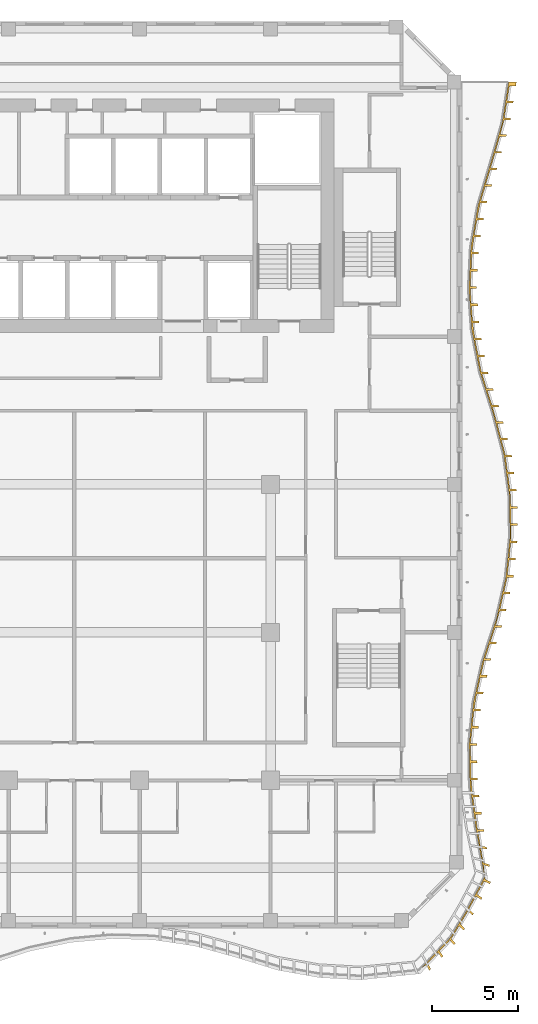
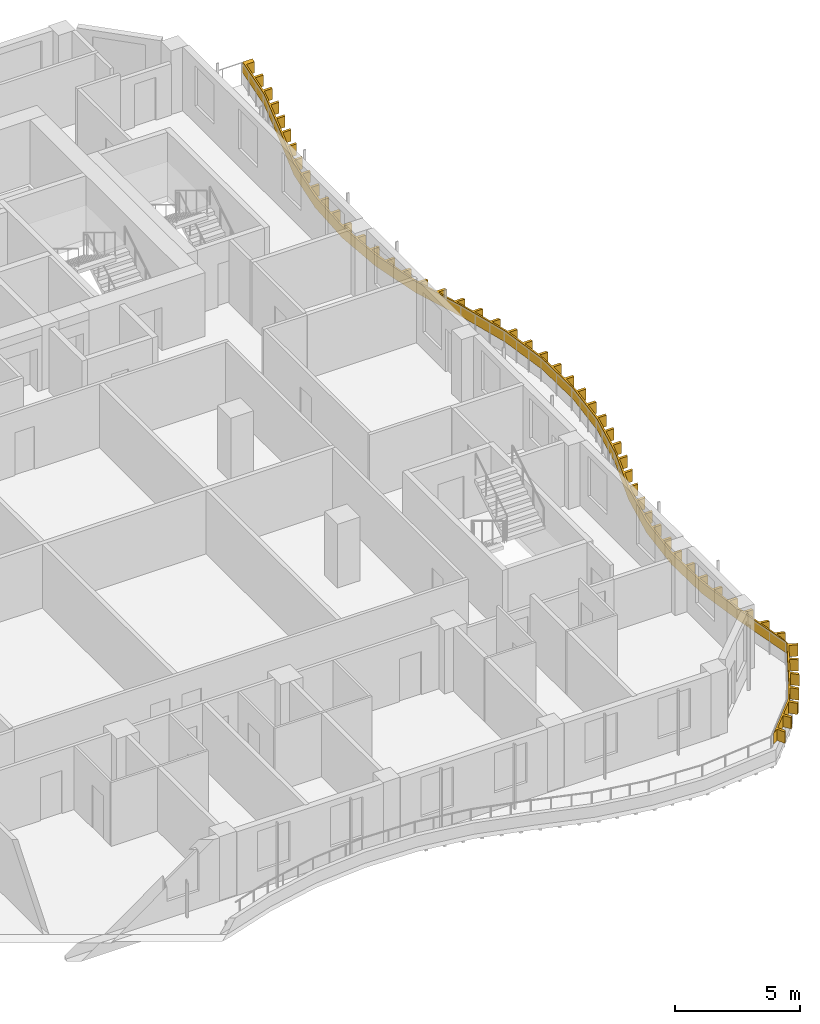
# One storey, part 18 of 21: 1 shading device.
"""IFC4 building model written with IfcOpenShell, lengths in metres."""

import ifcopenshell
import ifcopenshell.guid

model = None  # the IFC model being written
_history = None  # IfcOwnerHistory: only IFC2X3 demands one
_inside = {}  # id of a spatial element -> (the spatial element, [elements in it])
_under = {}  # id of a project, library or spatial element -> (it, [spatial elements below it])
_declared = {}  # id of a project -> (the project, [libraries it declares])
_typed = {}  # id of a type object -> (the type object, [elements of that type])
_made_of = {}  # id of a material, layer set ... -> (it, [elements and type objects made of it])


def new_model(schema):
    """Start an empty IFC model of exactly this schema.

    Asked for "IFC4X3", IfcOpenShell would pick the latest addendum, in which some entities
    have other attributes; the version numbers below select the first issue.
    IFC2X3 requires an IfcOwnerHistory on every rooted entity: one is made here for all.
    """
    global model, _history
    if schema == "IFC4X3":
        model = ifcopenshell.file(schema_version=(4, 3, 0, 0))
    else:
        model = ifcopenshell.file(schema=schema)
    _inside.clear()
    _under.clear()
    _declared.clear()
    _typed.clear()
    _made_of.clear()
    _history = None
    if model.schema == "IFC2X3":
        org = make("IfcOrganization", Name="unknown")
        user = make(
            "IfcPersonAndOrganization",
            ThePerson=make("IfcPerson", FamilyName="unknown"),
            TheOrganization=org,
        )
        app = make(
            "IfcApplication",
            ApplicationDeveloper=org,
            Version="unknown",
            ApplicationFullName="unknown",
            ApplicationIdentifier="unknown",
        )
        _history = make(
            "IfcOwnerHistory",
            OwningUser=user,
            OwningApplication=app,
            ChangeAction="ADDED",
            CreationDate=0,
        )
    return model


def make(cls, **values):
    """One entity of the class cls with the attributes given. An attribute that is None is left unset."""
    return model.create_entity(
        cls, **{name: value for name, value in values.items() if value is not None}
    )


def rooted(cls, **values):
    """An entity with a GlobalId (a new one), such as an element, a storey or a relation."""
    return make(cls, GlobalId=ifcopenshell.guid.new(), OwnerHistory=_history, **values)


def si_unit(unit_type, name, prefix=None):
    """IfcSIUnit, for example si_unit("LENGTHUNIT", "METRE", prefix="MILLI")."""
    return make("IfcSIUnit", UnitType=unit_type, Prefix=prefix, Name=name)


def assignment(units):
    """IfcUnitAssignment: the units of a project."""
    return None if units is None else make("IfcUnitAssignment", Units=units)


def point(xyz):
    """IfcCartesianPoint."""
    return None if xyz is None else make("IfcCartesianPoint", Coordinates=xyz)


def direction(xyz):
    """IfcDirection."""
    return None if xyz is None else make("IfcDirection", DirectionRatios=xyz)


def frame(location, z_axis=None, x_axis=None):
    """IfcAxis2Placement3D, a coordinate frame: its origin and axes. An axis left out is left unset."""
    return make(
        "IfcAxis2Placement3D",
        Location=point(location),
        Axis=direction(z_axis),
        RefDirection=direction(x_axis),
    )


def origin():
    """The frame at (0, 0, 0) with its axes left unset."""
    return frame((0.0, 0.0, 0.0))


def place(relative_to, where):
    """IfcLocalPlacement: puts the frame where relative to a parent placement (None: the world)."""
    return make(
        "IfcLocalPlacement", PlacementRelTo=relative_to, RelativePlacement=where
    )


def context(
    kind, dimensions, precision=None, world=None, true_north=None, identifier=None
):
    """IfcGeometricRepresentationContext, for example the 3D "Model" context."""
    return make(
        "IfcGeometricRepresentationContext",
        ContextIdentifier=identifier,
        ContextType=kind,
        CoordinateSpaceDimension=dimensions,
        Precision=precision,
        WorldCoordinateSystem=world,
        TrueNorth=true_north,
    )


def subcontext(parent, identifier, kind, view, scale=None):
    """IfcGeometricRepresentationSubContext, for example "Body" below "Model"."""
    return make(
        "IfcGeometricRepresentationSubContext",
        ContextIdentifier=identifier,
        ContextType=kind,
        ParentContext=parent,
        TargetScale=scale,
        TargetView=view,
    )


def project(units=None, contexts=None):
    """IfcProject with its units and contexts."""
    return rooted(
        "IfcProject",
        Name="project",
        RepresentationContexts=contexts,
        UnitsInContext=assignment(units),
    )


def spatial(cls, under=None, at=None, **own):
    """A site, building, storey or space (cls), placed at a placement, below another one or the project."""
    s = rooted(cls, ObjectPlacement=at, **own)
    if under is not None:
        _under.setdefault(under.id(), (under, []))[1].append(s)
    return s


def polyline(points):
    """IfcPolyline through the points."""
    return make("IfcPolyline", Points=[point(p) for p in points])


def outline(outer, holes=None, kind="AREA"):
    """IfcArbitraryClosedProfileDef: a profile drawn as a closed curve; with holes, ...WithVoids."""
    if holes is None:
        return make("IfcArbitraryClosedProfileDef", ProfileType=kind, OuterCurve=outer)
    return make(
        "IfcArbitraryProfileDefWithVoids",
        ProfileType=kind,
        OuterCurve=outer,
        InnerCurves=holes,
    )


def extrude(swept, where, along, depth):
    """IfcExtrudedAreaSolid: the profile swept, set in the frame where, extruded along a direction by depth."""
    return make(
        "IfcExtrudedAreaSolid",
        SweptArea=swept,
        Position=where,
        ExtrudedDirection=direction(along),
        Depth=depth,
    )


def shape(context_of_items, identifier, shape_type, items):
    """IfcShapeRepresentation: the items that make up one representation, for example the "Body"."""
    return make(
        "IfcShapeRepresentation",
        ContextOfItems=context_of_items,
        RepresentationIdentifier=identifier,
        RepresentationType=shape_type,
        Items=items,
    )


def source(mapping_origin, context_of_items, identifier, shape_type, items):
    """IfcRepresentationMap: a shape defined once, which mapped items show again and again."""
    return make(
        "IfcRepresentationMap",
        MappingOrigin=mapping_origin,
        MappedRepresentation=shape(context_of_items, identifier, shape_type, items),
    )


def transform(
    local_origin,
    x_axis=None,
    y_axis=None,
    z_axis=None,
    scale=None,
    scale2=None,
    scale3=None,
    uniform=True,
):
    """IfcCartesianTransformationOperator3D, or its non-uniform kind. x_axis, y_axis, z_axis: its Axis1, 2, 3."""
    if uniform:
        return make(
            "IfcCartesianTransformationOperator3D",
            Axis1=direction(x_axis),
            Axis2=direction(y_axis),
            LocalOrigin=point(local_origin),
            Scale=scale,
            Axis3=direction(z_axis),
        )
    return make(
        "IfcCartesianTransformationOperator3DnonUniform",
        Axis1=direction(x_axis),
        Axis2=direction(y_axis),
        LocalOrigin=point(local_origin),
        Scale=scale,
        Axis3=direction(z_axis),
        Scale2=scale2,
        Scale3=scale3,
    )


def mapped(mapping_source, mapping_target):
    """IfcMappedItem: shows the shape of a source again, moved by a transform."""
    return make(
        "IfcMappedItem", MappingSource=mapping_source, MappingTarget=mapping_target
    )


def material(Name=None, Category=None):
    """IfcMaterial."""
    return make("IfcMaterial", Name=Name, Category=Category)


def layer(
    of_material, thickness, ventilated=None, Name=None, Category=None, Priority=None
):
    """IfcMaterialLayer: one layer of a wall or slab, of a material (None: an air gap)."""
    return make(
        "IfcMaterialLayer",
        Material=of_material,
        LayerThickness=thickness,
        IsVentilated=ventilated,
        Name=Name,
        Category=Category,
        Priority=Priority,
    )


def layer_set(layers, Name=None):
    """IfcMaterialLayerSet."""
    return make("IfcMaterialLayerSet", MaterialLayers=layers, LayerSetName=Name)


def made_of(thing, what):
    """Note that an element or type object is made of a material, layer set ...; save() writes the relation."""
    if what is not None:
        _made_of.setdefault(what.id(), (what, []))[1].append(thing)
    return thing


def type_object(cls, material=None, **own):
    """A type object (cls), such as IfcWallType, which elements share."""
    return made_of(rooted(cls, **own), material)


def element(
    cls,
    number,
    at=None,
    inside=None,
    cuts=None,
    type_object=None,
    material=None,
    context=None,
    identifier="Body",
    shape_type=None,
    held_by="IfcProductDefinitionShape",
    body=None,
    shapes=None,
    **own,
):
    """One element of the class cls, such as IfcWall. Its Tag is "e" and its number.

    at: its placement. inside: the storey or other place that contains it. cuts: it is an
    opening in that element (IfcRelVoidsElement). A single representation is given by context,
    identifier, shape_type and body (its items); several are given by shapes. held_by: the class
    of the entity that holds the representations. save() writes the other relations.
    """
    e = rooted(cls, Tag="e%d" % number, ObjectPlacement=at, **own)
    if body is not None:
        shapes = [shape(context, identifier, shape_type, body)]
    if shapes is not None:
        e.Representation = make(held_by, Representations=shapes)
    if inside is not None:
        _inside.setdefault(inside.id(), (inside, []))[1].append(e)
    if cuts is not None:
        rooted(
            "IfcRelVoidsElement", RelatingBuildingElement=cuts, RelatedOpeningElement=e
        )
    if type_object is not None:
        _typed.setdefault(type_object.id(), (type_object, []))[1].append(e)
    return made_of(e, material)


def aggregate(whole, parts):
    """IfcRelAggregates: a whole, such as a stair, and the parts it consists of."""
    return rooted("IfcRelAggregates", RelatingObject=whole, RelatedObjects=parts)


def save(model, path):
    """Write the relations noted so far, then the file.

    IfcRelAggregates (storeys below a building ...), IfcRelContainedInSpatialStructure (elements
    in a storey), IfcRelDefinesByType, IfcRelAssociatesMaterial and IfcRelDeclares: one each for
    every whole, place, type object, material and project.
    """
    for whole, parts in _under.values():
        aggregate(whole, parts)
    for where, things in _inside.values():
        rooted(
            "IfcRelContainedInSpatialStructure",
            RelatedElements=things,
            RelatingStructure=where,
        )
    for kind, things in _typed.values():
        rooted("IfcRelDefinesByType", RelatedObjects=things, RelatingType=kind)
    for what, things in _made_of.values():
        rooted("IfcRelAssociatesMaterial", RelatedObjects=things, RelatingMaterial=what)
    for by, libraries in _declared.values():
        rooted("IfcRelDeclares", RelatingContext=by, RelatedDefinitions=libraries)
    model.write(path)


model = new_model("IFC4")

# Units and contexts
model_context = context("Model", 3, precision=1e-05, world=origin(), true_north=direction((0.0, 1.0)))
body_context = subcontext(model_context, "Body", "Model", "MODEL_VIEW")
ifc_project = project(units=[si_unit("LENGTHUNIT", "METRE"), si_unit("AREAUNIT", "SQUARE_METRE"), si_unit("VOLUMEUNIT", "CUBIC_METRE"), si_unit("PLANEANGLEUNIT", "RADIAN"), si_unit("MASSUNIT", "GRAM", prefix="KILO")], contexts=[model_context])

# Site, building, storey
site_placement = place(None, origin())
site = spatial("IfcSite", under=ifc_project, at=site_placement, CompositionType="ELEMENT")
building_placement = place(site_placement, origin())
building = spatial("IfcBuilding", under=site, at=building_placement, Name="Kilnfold Tower and Market Hall", CompositionType="ELEMENT")
storey_placement = place(building_placement, frame((0.0, 0.0, 182.10009765625)))
storey = spatial("IfcBuildingStorey", under=building, at=storey_placement, Name="L43", CompositionType="ELEMENT", Elevation=182.10009765625)

# Shading device
ifc_material = material(Name="Bronze anodised aluminium", Category="aluminium")
ifc_layer = layer(ifc_material, 0.550048828125)
ifc_layer_set = layer_set([ifc_layer], Name="Bronze anodised aluminium")
shading_device_type = type_object("IfcShadingDeviceType", Name="BRONZE SLAT FASCIA 550", PredefinedType="USERDEFINED", material=ifc_layer_set)
shared_shape = source(origin(), body_context, "Body", "SweptSolid", [
    extrude(outline(polyline([(23.353759765625, -28.6923828125), (23.186279296875, -28.3662109375), (22.9296875, -28.52978515625), (24.603271484375, -26.769775390625), (25.477783203125, -25.31103515625), (26.56298828125, -23.2939453125), (26.0390625, -20.355224609375), (25.70947265625, -17.96044921875), (25.667724609375, -15.56591796875), (25.912353515625, -13.171142578125), (26.45361328125, -10.7763671875), (27.235107421875, -8.381591796875), (27.781494140625, -5.98681640625), (28.030517578125, -3.592041015625), (27.993408203125, -1.197509765625), (27.668701171875, 1.197509765625), (27.04150390625, 3.592041015625), (26.283203125, 5.98681640625), (25.82080078125, 8.381591796875), (25.6513671875, 10.7763671875), (25.76708984375, 13.171142578125), (26.17333984375, 15.56591796875), (26.887939453125, 17.96044921875), (27.57470703125, 20.355224609375), (27.95458984375, 22.75), (28.40478515625, 22.75), (28.3681640625, 22.520263671875), (27.998291015625, 22.520263671875), (27.8603515625, 21.65087890625), (28.230224609375, 21.65087890625), (28.21142578125, 21.532470703125), (27.841552734375, 21.532470703125), (27.70361328125, 20.663330078125), (28.073486328125, 20.663330078125), (28.0546875, 20.544921875), (27.684814453125, 20.544921875), (27.465087890625, 19.69384765625), (27.8349609375, 19.69384765625), (27.802001953125, 19.57861328125), (27.431884765625, 19.57861328125), (27.189208984375, 18.732666015625), (27.559326171875, 18.732666015625), (27.5263671875, 18.6171875), (27.15625, 18.6171875), (26.91162109375, 17.77197265625), (27.28173828125, 17.77197265625), (27.247314453125, 17.656982421875), (26.877197265625, 17.656982421875), (26.625732421875, 16.813720703125), (26.99560546875, 16.813720703125), (26.96142578125, 16.69873046875), (26.59130859375, 16.69873046875), (26.33984375, 15.85546875), (26.709716796875, 15.85546875), (26.67529296875, 15.740478515625), (26.305419921875, 15.740478515625), (26.13671875, 14.8779296875), (26.506591796875, 14.8779296875), (26.486572265625, 14.759765625), (26.11669921875, 14.759765625), (25.969482421875, 13.89208984375), (26.33935546875, 13.89208984375), (26.3193359375, 13.773681640625), (25.94921875, 13.773681640625), (25.833984375, 12.902587890625), (26.2041015625, 12.902587890625), (26.1982421875, 12.78271484375), (25.828369140625, 12.78271484375), (25.785888671875, 11.90380859375), (26.15576171875, 11.90380859375), (26.14990234375, 11.783935546875), (25.780029296875, 11.783935546875), (25.737548828125, 10.905029296875), (26.107421875, 10.905029296875), (26.101806640625, 10.78515625), (25.731689453125, 10.78515625), (25.792724609375, 9.9072265625), (26.162841796875, 9.9072265625), (26.17138671875, 9.78759765625), (25.80126953125, 9.78759765625), (25.86328125, 8.909912109375), (26.2333984375, 8.909912109375), (26.241943359375, 8.7900390625), (25.871826171875, 8.7900390625), (25.989990234375, 7.919677734375), (26.360107421875, 7.919677734375), (26.3828125, 7.8017578125), (26.0126953125, 7.8017578125), (26.1796875, 6.937744140625), (26.549560546875, 6.937744140625), (26.572265625, 6.820068359375), (26.202392578125, 6.820068359375), (26.372802734375, 5.956787109375), (26.74267578125, 5.956787109375), (26.77880859375, 5.84228515625), (26.408935546875, 5.84228515625), (26.674560546875, 5.00341796875), (27.044677734375, 5.00341796875), (27.080810546875, 4.88916015625), (26.710693359375, 4.88916015625), (26.9765625, 4.050048828125), (27.346435546875, 4.050048828125), (27.3828125, 3.935791015625), (27.0126953125, 3.935791015625), (27.253173828125, 3.089599609375), (27.623046875, 3.089599609375), (27.653564453125, 2.973388671875), (27.283447265625, 2.973388671875), (27.506591796875, 2.1220703125), (27.87646484375, 2.1220703125), (27.906982421875, 2.006103515625), (27.536865234375, 2.006103515625), (27.754638671875, 1.15380859375), (28.12451171875, 1.15380859375), (28.140625, 1.034912109375), (27.770751953125, 1.034912109375), (27.888916015625, 0.162841796875), (28.259033203125, 0.162841796875), (28.275146484375, 0.0439453125), (27.905029296875, 0.0439453125), (28.0234375, -0.828125), (28.393310546875, -0.828125), (28.409423828125, -0.947021484375), (28.03955078125, -0.947021484375), (28.083251953125, -1.82470703125), (28.453125, -1.82470703125), (28.455078125, -1.944580078125), (28.0849609375, -1.944580078125), (28.0986328125, -2.824462890625), (28.468505859375, -2.824462890625), (28.470458984375, -2.944580078125), (28.1005859375, -2.944580078125), (28.08642578125, -3.8232421875), (28.45654296875, -3.8232421875), (28.444091796875, -3.942626953125), (28.073974609375, -3.942626953125), (27.98291015625, -4.81787109375), (28.35302734375, -4.81787109375), (28.340576171875, -4.937255859375), (27.970703125, -4.937255859375), (27.87939453125, -5.8125), (28.24951171875, -5.8125), (28.237060546875, -5.931884765625), (27.8671875, -5.931884765625), (27.677978515625, -6.791015625), (28.048095703125, -6.791015625), (28.021240234375, -6.907958984375), (27.6513671875, -6.907958984375), (27.45556640625, -7.765869140625), (27.82568359375, -7.765869140625), (27.798828125, -7.8828125), (27.428955078125, -7.8828125), (27.20068359375, -8.731689453125), (27.57080078125, -8.731689453125), (27.53369140625, -8.845947265625), (27.16357421875, -8.845947265625), (26.890625, -9.6826171875), (27.260498046875, -9.6826171875), (27.223388671875, -9.796630859375), (26.853271484375, -9.796630859375), (26.580322265625, -10.633056640625), (26.9501953125, -10.633056640625), (26.9130859375, -10.747314453125), (26.543212890625, -10.747314453125), (26.34619140625, -11.604736328125), (26.71630859375, -11.604736328125), (26.68994140625, -11.721923828125), (26.31982421875, -11.721923828125), (26.1259765625, -12.580078125), (26.495849609375, -12.580078125), (26.469482421875, -12.697265625), (26.099365234375, -12.697265625), (25.952392578125, -13.563232421875), (26.322265625, -13.563232421875), (26.31005859375, -13.6826171875), (25.940185546875, -13.6826171875), (25.8505859375, -14.55810546875), (26.220703125, -14.55810546875), (26.20849609375, -14.677490234375), (25.83837890625, -14.677490234375), (25.7490234375, -15.552978515625), (26.119140625, -15.552978515625), (26.11962890625, -15.6728515625), (25.749755859375, -15.6728515625), (25.764892578125, -16.552734375), (26.135009765625, -16.552734375), (26.136962890625, -16.672607421875), (25.76708984375, -16.672607421875), (25.7822265625, -17.552490234375), (26.15234375, -17.552490234375), (26.154296875, -17.672607421875), (25.784423828125, -17.672607421875), (25.8701171875, -18.547119140625), (26.239990234375, -18.547119140625), (26.256591796875, -18.665771484375), (25.886474609375, -18.665771484375), (26.006591796875, -19.53759765625), (26.37646484375, -19.53759765625), (26.392822265625, -19.656494140625), (26.022705078125, -19.656494140625), (26.148193359375, -20.52490234375), (26.51708984375, -20.532958984375), (26.5361328125, -20.655029296875), (26.168212890625, -20.641357421875), (26.31591796875, -21.49560546875), (26.67724609375, -21.55029296875), (26.6962890625, -21.67236328125), (26.336181640625, -21.612060546875), (26.485595703125, -22.46630859375), (26.83740234375, -22.567626953125), (26.856689453125, -22.689697265625), (26.506103515625, -22.5830078125), (26.58203125, -23.425048828125), (26.92041015625, -23.572998046875), (26.860595703125, -23.6826171875), (26.52587890625, -23.528564453125), (26.114990234375, -24.286865234375), (26.4208984375, -24.486083984375), (26.361083984375, -24.595703125), (26.05908203125, -24.39013671875), (25.650634765625, -25.150146484375), (25.92138671875, -25.399658203125), (25.861572265625, -25.50927734375), (25.59521484375, -25.25390625), (25.1494140625, -26.009521484375), (25.410888671875, -26.271240234375), (25.349365234375, -26.374267578125), (25.087646484375, -26.112548828125), (24.627197265625, -26.860107421875), (24.88671875, -27.123291015625), (24.800048828125, -27.212158203125), (24.54541015625, -26.9453125), (23.946533203125, -27.569580078125), (24.163818359375, -27.863525390625), (24.076904296875, -27.952392578125), (23.864990234375, -27.65478515625), (23.267578125, -28.280517578125), (23.4404296875, -28.603759765625), (23.353759765625, -28.6923828125)])), origin(), (0.0, 0.0, 1.0), 0.550048828125),
])
shading_device_placement = place(storey_placement, frame((0.0, 0.0, 0.5498046875)))
element("IfcShadingDevice", 1, at=shading_device_placement, inside=storey, type_object=shading_device_type, Name="Balcony slat fascia L43", ObjectType="SLAT", PredefinedType="USERDEFINED", context=body_context, shape_type="MappedRepresentation", body=[
    mapped(shared_shape, transform((0.0, 0.0, 0.0))),
])

save(model, "model.ifc")
